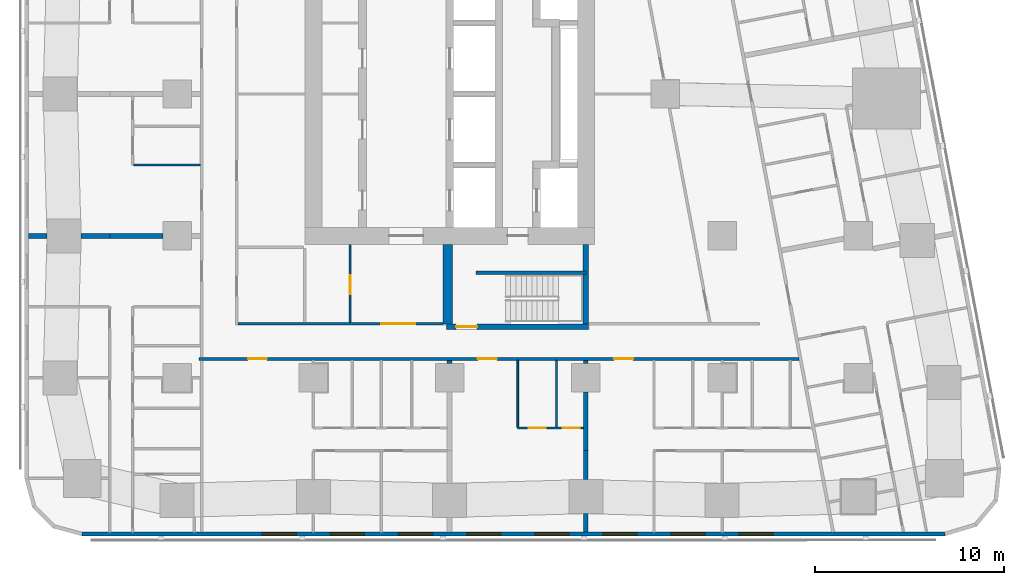
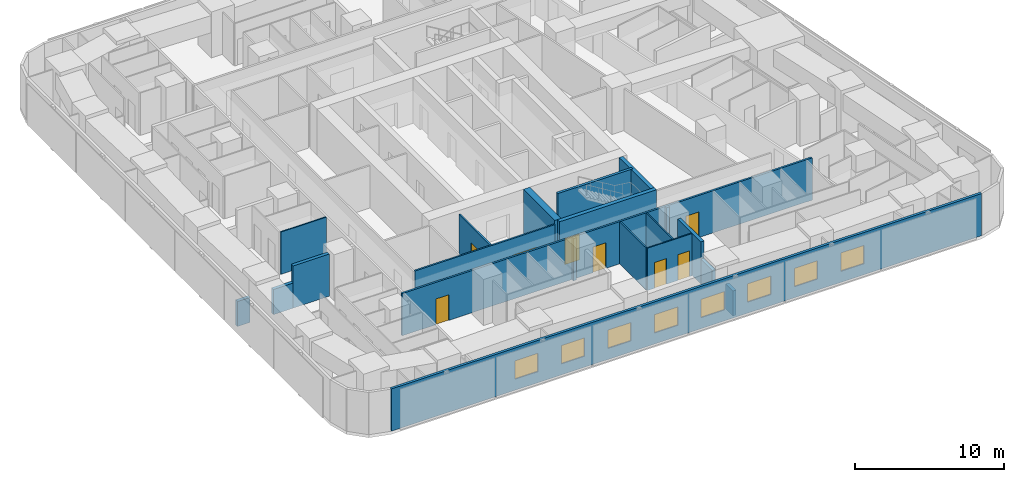
# One storey, part 3 of 15: 20 walls, 8 doors, 8 windows, 16 openings.
"""IFC4 building model written with IfcOpenShell, lengths in metres."""

from ifc_helpers import new_model, si_unit, direction, frame, frame_2d, origin, place, context, subcontext, project, spatial, rectangle, extrude, material, layer, layer_set, type_object, element, fill, save


model = new_model("IFC4")

# Units and contexts
model_context = context("Model", 3, precision=1e-05, world=origin(), true_north=direction((0.0, 1.0)))
body_context = subcontext(model_context, "Body", "Model", "MODEL_VIEW")
ifc_project = project(units=[si_unit("LENGTHUNIT", "METRE"), si_unit("AREAUNIT", "SQUARE_METRE"), si_unit("VOLUMEUNIT", "CUBIC_METRE"), si_unit("PLANEANGLEUNIT", "RADIAN"), si_unit("MASSUNIT", "GRAM", prefix="KILO")], contexts=[model_context])

# Site, building, storey
site_placement = place(None, origin())
site = spatial("IfcSite", under=ifc_project, at=site_placement, CompositionType="ELEMENT")
building_placement = place(site_placement, origin())
building = spatial("IfcBuilding", under=site, at=building_placement, Name="Sheger Commons Tower", CompositionType="ELEMENT")
storey_placement = place(building_placement, frame((0.0, 0.0, 184.550048828125)))
storey = spatial("IfcBuildingStorey", under=building, at=storey_placement, Name="L47", CompositionType="ELEMENT", Elevation=184.550048828125)

# Wall, openings, doors
ifc_material_1 = material(Name="Hollow concrete block masonry, skimmed both sides", Category="masonry")
ifc_layer_1 = layer(ifc_material_1, 0.14990234375)
ifc_layer_set_1 = layer_set([ifc_layer_1], Name="CORRIDOR WALL 150")
wall_type_1 = type_object("IfcWallType", Name="CORRIDOR WALL 150", PredefinedType="SOLIDWALL", material=ifc_layer_set_1)
wall_1_placement = place(storey_placement, frame((40.052978515625, 8.5, 0.0), z_axis=(0.0, 0.0, 1.0), x_axis=(-1.0, 0.0, 0.0)))
wall_1 = element("IfcWall", 1, at=wall_1_placement, inside=storey, type_object=wall_type_1, Name="Corridor wall L47", PredefinedType="SOLIDWALL", context=body_context, shape_type="SweptSolid", body=[
    extrude(rectangle(XDim=31.702880859375, YDim=0.14990234375, at=frame_2d((15.8515625, 0.0))), origin(), (0.0, 0.0, 1.0), 3.449951171875),
])
opening_1_placement = place(wall_1_placement, frame((28.10302734375, 0.0, 0.0)))
opening_1 = element("IfcOpeningElement", 2, at=opening_1_placement, cuts=wall_1, Name="Opening D1", PredefinedType="OPENING", context=body_context, shape_type="SweptSolid", body=[
    extrude(rectangle(XDim=1.0, YDim=2.10009765625, at=frame_2d((0.5, 1.050048828125))), frame((0.0, 0.0849609375, 0.0), z_axis=(0.0, -1.0, 0.0), x_axis=(1.0, 0.0, 0.0)), (0.0, 0.0, 1.0), 0.169921875),
])
opening_2_placement = place(wall_1_placement, frame((15.952880859375, 0.0, 0.0)))
opening_2 = element("IfcOpeningElement", 3, at=opening_2_placement, cuts=wall_1, Name="Opening D1", PredefinedType="OPENING", context=body_context, shape_type="SweptSolid", body=[
    extrude(rectangle(XDim=1.0, YDim=2.10009765625, at=frame_2d((0.5, 1.050048828125))), frame((0.0, 0.0849609375, 0.0), z_axis=(0.0, -1.0, 0.0), x_axis=(1.0, 0.0, 0.0)), (0.0, 0.0, 1.0), 0.169921875),
])
opening_3_placement = place(wall_1_placement, frame((8.7529296875, 0.0, 0.0)))
opening_3 = element("IfcOpeningElement", 4, at=opening_3_placement, cuts=wall_1, Name="Opening D1", PredefinedType="OPENING", context=body_context, shape_type="SweptSolid", body=[
    extrude(rectangle(XDim=1.0, YDim=2.10009765625, at=frame_2d((0.5, 1.050048828125))), frame((0.0, 0.0849609375, 0.0), z_axis=(0.0, -1.0, 0.0), x_axis=(1.0, 0.0, 0.0)), (0.0, 0.0, 1.0), 0.169921875),
])
ifc_material_2 = material(Name="Steel door set, fire rated", Category="steel")
door_type_1 = type_object("IfcDoorType", Name="FLAT ENTRANCE DOOR 1000x2100", OperationType="NOTDEFINED", PredefinedType="DOOR", material=ifc_material_2)
door_1_placement = place(opening_1_placement, origin())
door_1 = element("IfcDoor", 5, at=door_1_placement, inside=storey, type_object=door_type_1, Name="Flat entrance door", OperationType="SINGLE_SWING_RIGHT", OverallHeight=2.10009765625, OverallWidth=1.0, PredefinedType="DOOR", context=body_context, shape_type="SweptSolid", body=[
    extrude(rectangle(XDim=1.0, YDim=2.10009765625, at=frame_2d((0.5, 1.050048828125))), frame((0.0, 0.02490234375, 0.0), z_axis=(0.0, -1.0, 0.0), x_axis=(1.0, 0.0, 0.0)), (0.0, 0.0, 1.0), 0.050048828125),
])
fill(opening_1, door_1)
door_2_placement = place(opening_2_placement, origin())
door_2 = element("IfcDoor", 6, at=door_2_placement, inside=storey, type_object=door_type_1, Name="Flat entrance door", OperationType="SINGLE_SWING_LEFT", OverallHeight=2.10009765625, OverallWidth=1.0, PredefinedType="DOOR", context=body_context, shape_type="SweptSolid", body=[
    extrude(rectangle(XDim=1.0, YDim=2.10009765625, at=frame_2d((0.5, 1.050048828125))), frame((0.0, 0.02490234375, 0.0), z_axis=(0.0, -1.0, 0.0), x_axis=(1.0, 0.0, 0.0)), (0.0, 0.0, 1.0), 0.050048828125),
])
fill(opening_2, door_2)
door_3_placement = place(opening_3_placement, origin())
door_3 = element("IfcDoor", 7, at=door_3_placement, inside=storey, type_object=door_type_1, Name="Flat entrance door", OperationType="SINGLE_SWING_LEFT", OverallHeight=2.10009765625, OverallWidth=1.0, PredefinedType="DOOR", context=body_context, shape_type="SweptSolid", body=[
    extrude(rectangle(XDim=1.0, YDim=2.10009765625, at=frame_2d((0.5, 1.050048828125))), frame((0.0, 0.02490234375, 0.0), z_axis=(0.0, -1.0, 0.0), x_axis=(1.0, 0.0, 0.0)), (0.0, 0.0, 1.0), 0.050048828125),
])
fill(opening_3, door_3)

# Walls
ifc_material_3 = material(Name="Dense concrete block masonry, plastered both sides (separating wall between flats)", Category="masonry")
ifc_layer_2 = layer(ifc_material_3, 0.25)
ifc_layer_set_2 = layer_set([ifc_layer_2], Name="DEMISING WALL 250")
wall_type_2 = type_object("IfcWallType", Name="DEMISING WALL 250", PredefinedType="SOLIDWALL", material=ifc_layer_set_2)
wall_2_placement = place(storey_placement, frame((-0.64990234375, 15.0, 0.0), z_axis=(0.0, 0.0, 1.0), x_axis=(1.0, 0.0, 0.0)))
element("IfcWall", 8, at=wall_2_placement, inside=storey, type_object=wall_type_2, Name="Demising wall L47", PredefinedType="SOLIDWALL", context=body_context, shape_type="SweptSolid", body=[
    extrude(rectangle(XDim=0.973876953125, YDim=0.25, at=frame_2d((0.48681640625, 0.0))), origin(), (0.0, 0.0, 1.0), 2.050048828125),
])
wall_3_placement = place(storey_placement, frame((2.1259765625, 15.0, 0.0), z_axis=(0.0, 0.0, 1.0), x_axis=(1.0, 0.0, 0.0)))
element("IfcWall", 9, at=wall_3_placement, inside=storey, type_object=wall_type_2, Name="Demising wall L47", PredefinedType="SOLIDWALL", context=body_context, shape_type="SweptSolid", body=[
    extrude(rectangle(XDim=1.52392578125, YDim=0.25, at=frame_2d((0.761962890625, 0.0))), origin(), (0.0, 0.0, 1.0), 2.050048828125),
])
wall_4_placement = place(storey_placement, frame((3.64990234375, 15.0, 0.0), z_axis=(0.0, 0.0, 1.0), x_axis=(1.0, 0.0, 0.0)))
element("IfcWall", 10, at=wall_4_placement, inside=storey, type_object=wall_type_2, Name="Demising wall L47", PredefinedType="SOLIDWALL", context=body_context, shape_type="SweptSolid", body=[
    extrude(rectangle(XDim=2.799072265625, YDim=0.25, at=frame_2d((1.3994140625, 0.0))), origin(), (0.0, 0.0, 1.0), 3.449951171875),
])
wall_5_placement = place(storey_placement, frame((21.60009765625, 8.2509765625, 0.0), z_axis=(0.0, 0.0, 1.0), x_axis=(0.0, 1.0, 0.0)))
element("IfcWall", 11, at=wall_5_placement, inside=storey, type_object=wall_type_2, Name="Demising wall L47", PredefinedType="SOLIDWALL", context=body_context, shape_type="SweptSolid", body=[
    extrude(rectangle(XDim=0.174072265625, YDim=0.25, at=frame_2d((0.0869140625, 0.0))), origin(), (0.0, 0.0, 1.0), 3.449951171875),
])
wall_6_placement = place(storey_placement, frame((28.800048828125, -0.64990234375, 0.0), z_axis=(0.0, 0.0, 1.0), x_axis=(0.0, 1.0, 0.0)))
element("IfcWall", 12, at=wall_6_placement, inside=storey, type_object=wall_type_2, Name="Demising wall L47", PredefinedType="SOLIDWALL", context=body_context, shape_type="SweptSolid", body=[
    extrude(rectangle(XDim=0.973876953125, YDim=0.25, at=frame_2d((0.48681640625, 0.0))), origin(), (0.0, 0.0, 1.0), 2.050048828125),
])
wall_7_placement = place(storey_placement, frame((28.800048828125, 2.1259765625, 0.0), z_axis=(0.0, 0.0, 1.0), x_axis=(0.0, 1.0, 0.0)))
element("IfcWall", 13, at=wall_7_placement, inside=storey, type_object=wall_type_2, Name="Demising wall L47", PredefinedType="SOLIDWALL", context=body_context, shape_type="SweptSolid", body=[
    extrude(rectangle(XDim=1.52392578125, YDim=0.25, at=frame_2d((0.761962890625, 0.0))), origin(), (0.0, 0.0, 1.0), 2.050048828125),
])
wall_8_placement = place(storey_placement, frame((28.800048828125, 3.64990234375, 0.0), z_axis=(0.0, 0.0, 1.0), x_axis=(0.0, 1.0, 0.0)))
element("IfcWall", 14, at=wall_8_placement, inside=storey, type_object=wall_type_2, Name="Demising wall L47", PredefinedType="SOLIDWALL", context=body_context, shape_type="SweptSolid", body=[
    extrude(rectangle(XDim=3.09912109375, YDim=0.25, at=frame_2d((1.549560546875, 0.0))), origin(), (0.0, 0.0, 1.0), 3.449951171875),
])
wall_9_placement = place(storey_placement, frame((28.800048828125, 8.2509765625, 0.0), z_axis=(0.0, 0.0, 1.0), x_axis=(0.0, 1.0, 0.0)))
element("IfcWall", 15, at=wall_9_placement, inside=storey, type_object=wall_type_2, Name="Demising wall L47", PredefinedType="SOLIDWALL", context=body_context, shape_type="SweptSolid", body=[
    extrude(rectangle(XDim=0.174072265625, YDim=0.25, at=frame_2d((0.0869140625, 0.0))), origin(), (0.0, 0.0, 1.0), 3.449951171875),
])

# Wall, openings, windows
ifc_material_4 = material(Name="Rendered concrete block masonry, dark grey", Category="masonry")
ifc_layer_3 = layer(ifc_material_4, 0.199951171875)
ifc_layer_set_3 = layer_set([ifc_layer_3], Name="FACADE WALL 200")
wall_type_3 = type_object("IfcWallType", Name="FACADE WALL 200", PredefinedType="SOLIDWALL", material=ifc_layer_set_3)
wall_10_placement = place(storey_placement, frame((2.1630859375, -0.75, 0.0), z_axis=(0.0, 0.0, 1.0), x_axis=(1.0, 0.0, 0.0)))
wall_10 = element("IfcWall", 16, at=wall_10_placement, inside=storey, type_object=wall_type_3, Name="Facade wall L47", PredefinedType="SOLIDWALL", context=body_context, shape_type="SweptSolid", body=[
    extrude(rectangle(XDim=45.6279296875, YDim=0.199951171875, at=frame_2d((22.81396484375, 0.0))), origin(), (0.0, 0.0, 1.0), 3.449951171875),
])
opening_4_placement = place(wall_10_placement, frame((9.537109375, 0.0, 0.89990234375)))
opening_4 = element("IfcOpeningElement", 17, at=opening_4_placement, cuts=wall_10, Name="Opening W2", PredefinedType="OPENING", context=body_context, shape_type="SweptSolid", body=[
    extrude(rectangle(XDim=1.800048828125, YDim=1.5, at=frame_2d((0.89990234375, 0.75))), frame((0.0, 0.10986328125, 0.0), z_axis=(0.0, -1.0, 0.0), x_axis=(1.0, 0.0, 0.0)), (0.0, 0.0, 1.0), 0.219970703125),
])
opening_5_placement = place(wall_10_placement, frame((13.136962890625, 0.0, 0.89990234375)))
opening_5 = element("IfcOpeningElement", 18, at=opening_5_placement, cuts=wall_10, Name="Opening W2", PredefinedType="OPENING", context=body_context, shape_type="SweptSolid", body=[
    extrude(rectangle(XDim=1.800048828125, YDim=1.5, at=frame_2d((0.89990234375, 0.75))), frame((0.0, 0.10986328125, 0.0), z_axis=(0.0, -1.0, 0.0), x_axis=(1.0, 0.0, 0.0)), (0.0, 0.0, 1.0), 0.219970703125),
])
opening_6_placement = place(wall_10_placement, frame((16.737060546875, 0.0, 0.89990234375)))
opening_6 = element("IfcOpeningElement", 19, at=opening_6_placement, cuts=wall_10, Name="Opening W2", PredefinedType="OPENING", context=body_context, shape_type="SweptSolid", body=[
    extrude(rectangle(XDim=1.800048828125, YDim=1.5, at=frame_2d((0.89990234375, 0.75))), frame((0.0, 0.10986328125, 0.0), z_axis=(0.0, -1.0, 0.0), x_axis=(1.0, 0.0, 0.0)), (0.0, 0.0, 1.0), 0.219970703125),
])
opening_7_placement = place(wall_10_placement, frame((20.3369140625, 0.0, 0.89990234375)))
opening_7 = element("IfcOpeningElement", 20, at=opening_7_placement, cuts=wall_10, Name="Opening W2", PredefinedType="OPENING", context=body_context, shape_type="SweptSolid", body=[
    extrude(rectangle(XDim=1.800048828125, YDim=1.5, at=frame_2d((0.89990234375, 0.75))), frame((0.0, 0.10986328125, 0.0), z_axis=(0.0, -1.0, 0.0), x_axis=(1.0, 0.0, 0.0)), (0.0, 0.0, 1.0), 0.219970703125),
])
opening_8_placement = place(wall_10_placement, frame((23.93701171875, 0.0, 0.89990234375)))
opening_8 = element("IfcOpeningElement", 21, at=opening_8_placement, cuts=wall_10, Name="Opening W2", PredefinedType="OPENING", context=body_context, shape_type="SweptSolid", body=[
    extrude(rectangle(XDim=1.800048828125, YDim=1.5, at=frame_2d((0.89990234375, 0.75))), frame((0.0, 0.10986328125, 0.0), z_axis=(0.0, -1.0, 0.0), x_axis=(1.0, 0.0, 0.0)), (0.0, 0.0, 1.0), 0.219970703125),
])
opening_9_placement = place(wall_10_placement, frame((27.537109375, 0.0, 0.89990234375)))
opening_9 = element("IfcOpeningElement", 22, at=opening_9_placement, cuts=wall_10, Name="Opening W2", PredefinedType="OPENING", context=body_context, shape_type="SweptSolid", body=[
    extrude(rectangle(XDim=1.800048828125, YDim=1.5, at=frame_2d((0.89990234375, 0.75))), frame((0.0, 0.10986328125, 0.0), z_axis=(0.0, -1.0, 0.0), x_axis=(1.0, 0.0, 0.0)), (0.0, 0.0, 1.0), 0.219970703125),
])
opening_10_placement = place(wall_10_placement, frame((31.136962890625, 0.0, 0.89990234375)))
opening_10 = element("IfcOpeningElement", 23, at=opening_10_placement, cuts=wall_10, Name="Opening W2", PredefinedType="OPENING", context=body_context, shape_type="SweptSolid", body=[
    extrude(rectangle(XDim=1.800048828125, YDim=1.5, at=frame_2d((0.89990234375, 0.75))), frame((0.0, 0.10986328125, 0.0), z_axis=(0.0, -1.0, 0.0), x_axis=(1.0, 0.0, 0.0)), (0.0, 0.0, 1.0), 0.219970703125),
])
opening_11_placement = place(wall_10_placement, frame((34.737060546875, 0.0, 0.89990234375)))
opening_11 = element("IfcOpeningElement", 24, at=opening_11_placement, cuts=wall_10, Name="Opening W2", PredefinedType="OPENING", context=body_context, shape_type="SweptSolid", body=[
    extrude(rectangle(XDim=1.800048828125, YDim=1.5, at=frame_2d((0.89990234375, 0.75))), frame((0.0, 0.10986328125, 0.0), z_axis=(0.0, -1.0, 0.0), x_axis=(1.0, 0.0, 0.0)), (0.0, 0.0, 1.0), 0.219970703125),
])
ifc_material_5 = material(Name="Black aluminium frame, dark tinted double glazing", Category="aluminium")
window_type = type_object("IfcWindowType", Name="WINDOW W2 1800x1500", PartitioningType="SINGLE_PANEL", PredefinedType="WINDOW", material=ifc_material_5)
window_1_placement = place(opening_4_placement, origin())
window_1 = element("IfcWindow", 25, at=window_1_placement, inside=storey, type_object=window_type, Name="Window W2 1800X1500", OverallHeight=1.5, OverallWidth=1.800048828125, PartitioningType="SINGLE_PANEL", PredefinedType="WINDOW", context=body_context, shape_type="SweptSolid", body=[
    extrude(rectangle(XDim=1.800048828125, YDim=1.5, at=frame_2d((0.89990234375, 0.75))), frame((0.0, 0.030029296875, 0.0), z_axis=(0.0, -1.0, 0.0), x_axis=(1.0, 0.0, 0.0)), (0.0, 0.0, 1.0), 0.06005859375),
])
fill(opening_4, window_1)
window_2_placement = place(opening_5_placement, origin())
window_2 = element("IfcWindow", 26, at=window_2_placement, inside=storey, type_object=window_type, Name="Window W2 1800X1500", OverallHeight=1.5, OverallWidth=1.800048828125, PartitioningType="SINGLE_PANEL", PredefinedType="WINDOW", context=body_context, shape_type="SweptSolid", body=[
    extrude(rectangle(XDim=1.800048828125, YDim=1.5, at=frame_2d((0.89990234375, 0.75))), frame((0.0, 0.030029296875, 0.0), z_axis=(0.0, -1.0, 0.0), x_axis=(1.0, 0.0, 0.0)), (0.0, 0.0, 1.0), 0.06005859375),
])
fill(opening_5, window_2)
window_3_placement = place(opening_6_placement, origin())
window_3 = element("IfcWindow", 27, at=window_3_placement, inside=storey, type_object=window_type, Name="Window W2 1800X1500", OverallHeight=1.5, OverallWidth=1.800048828125, PartitioningType="SINGLE_PANEL", PredefinedType="WINDOW", context=body_context, shape_type="SweptSolid", body=[
    extrude(rectangle(XDim=1.800048828125, YDim=1.5, at=frame_2d((0.89990234375, 0.75))), frame((0.0, 0.030029296875, 0.0), z_axis=(0.0, -1.0, 0.0), x_axis=(1.0, 0.0, 0.0)), (0.0, 0.0, 1.0), 0.06005859375),
])
fill(opening_6, window_3)
window_4_placement = place(opening_7_placement, origin())
window_4 = element("IfcWindow", 28, at=window_4_placement, inside=storey, type_object=window_type, Name="Window W2 1800X1500", OverallHeight=1.5, OverallWidth=1.800048828125, PartitioningType="SINGLE_PANEL", PredefinedType="WINDOW", context=body_context, shape_type="SweptSolid", body=[
    extrude(rectangle(XDim=1.800048828125, YDim=1.5, at=frame_2d((0.89990234375, 0.75))), frame((0.0, 0.030029296875, 0.0), z_axis=(0.0, -1.0, 0.0), x_axis=(1.0, 0.0, 0.0)), (0.0, 0.0, 1.0), 0.06005859375),
])
fill(opening_7, window_4)
window_5_placement = place(opening_8_placement, origin())
window_5 = element("IfcWindow", 29, at=window_5_placement, inside=storey, type_object=window_type, Name="Window W2 1800X1500", OverallHeight=1.5, OverallWidth=1.800048828125, PartitioningType="SINGLE_PANEL", PredefinedType="WINDOW", context=body_context, shape_type="SweptSolid", body=[
    extrude(rectangle(XDim=1.800048828125, YDim=1.5, at=frame_2d((0.89990234375, 0.75))), frame((0.0, 0.030029296875, 0.0), z_axis=(0.0, -1.0, 0.0), x_axis=(1.0, 0.0, 0.0)), (0.0, 0.0, 1.0), 0.06005859375),
])
fill(opening_8, window_5)
window_6_placement = place(opening_9_placement, origin())
window_6 = element("IfcWindow", 30, at=window_6_placement, inside=storey, type_object=window_type, Name="Window W2 1800X1500", OverallHeight=1.5, OverallWidth=1.800048828125, PartitioningType="SINGLE_PANEL", PredefinedType="WINDOW", context=body_context, shape_type="SweptSolid", body=[
    extrude(rectangle(XDim=1.800048828125, YDim=1.5, at=frame_2d((0.89990234375, 0.75))), frame((0.0, 0.030029296875, 0.0), z_axis=(0.0, -1.0, 0.0), x_axis=(1.0, 0.0, 0.0)), (0.0, 0.0, 1.0), 0.06005859375),
])
fill(opening_9, window_6)
window_7_placement = place(opening_10_placement, origin())
window_7 = element("IfcWindow", 31, at=window_7_placement, inside=storey, type_object=window_type, Name="Window W2 1800X1500", OverallHeight=1.5, OverallWidth=1.800048828125, PartitioningType="SINGLE_PANEL", PredefinedType="WINDOW", context=body_context, shape_type="SweptSolid", body=[
    extrude(rectangle(XDim=1.800048828125, YDim=1.5, at=frame_2d((0.89990234375, 0.75))), frame((0.0, 0.030029296875, 0.0), z_axis=(0.0, -1.0, 0.0), x_axis=(1.0, 0.0, 0.0)), (0.0, 0.0, 1.0), 0.06005859375),
])
fill(opening_10, window_7)
window_8_placement = place(opening_11_placement, origin())
window_8 = element("IfcWindow", 32, at=window_8_placement, inside=storey, type_object=window_type, Name="Window W2 1800X1500", OverallHeight=1.5, OverallWidth=1.800048828125, PartitioningType="SINGLE_PANEL", PredefinedType="WINDOW", context=body_context, shape_type="SweptSolid", body=[
    extrude(rectangle(XDim=1.800048828125, YDim=1.5, at=frame_2d((0.89990234375, 0.75))), frame((0.0, 0.030029296875, 0.0), z_axis=(0.0, -1.0, 0.0), x_axis=(1.0, 0.0, 0.0)), (0.0, 0.0, 1.0), 0.06005859375),
])
fill(opening_11, window_8)

# Wall
ifc_material_6 = material(Name="Gypsum board on steel studs", Category="steel")
ifc_layer_4 = layer(ifc_material_6, 0.10009765625)
ifc_layer_set_4 = layer_set([ifc_layer_4], Name="PARTITION 100")
wall_type_4 = type_object("IfcWallType", Name="PARTITION 100", PredefinedType="PARTITIONING", material=ifc_layer_set_4)
wall_11_placement = place(storey_placement, frame((4.89990234375, 18.75, 0.0), z_axis=(0.0, 0.0, 1.0), x_axis=(1.0, 0.0, 0.0)))
element("IfcWall", 33, at=wall_11_placement, inside=storey, type_object=wall_type_4, Name="Partition L47", PredefinedType="PARTITIONING", context=body_context, shape_type="SweptSolid", body=[
    extrude(rectangle(XDim=3.525146484375, YDim=0.10009765625, at=frame_2d((1.7626953125, 0.0))), origin(), (0.0, 0.0, 1.0), 3.449951171875),
])

# Wall, openings, doors
wall_12_placement = place(storey_placement, frame((28.675048828125, 4.85009765625, 0.0), z_axis=(0.0, 0.0, 1.0), x_axis=(-1.0, 0.0, 0.0)))
wall_12 = element("IfcWall", 34, at=wall_12_placement, inside=storey, type_object=wall_type_4, Name="Partition L47", PredefinedType="PARTITIONING", context=body_context, shape_type="SweptSolid", body=[
    extrude(rectangle(XDim=3.47509765625, YDim=0.10009765625, at=frame_2d((1.737548828125, 0.0))), origin(), (0.0, 0.0, 1.0), 3.449951171875),
])
opening_12_placement = place(wall_12_placement, frame((2.0, 0.0, 0.0)))
opening_12 = element("IfcOpeningElement", 35, at=opening_12_placement, cuts=wall_12, Name="Opening D2", PredefinedType="OPENING", context=body_context, shape_type="SweptSolid", body=[
    extrude(rectangle(XDim=0.89990234375, YDim=2.10009765625, at=frame_2d((0.449951171875, 1.050048828125))), frame((0.0, 0.06005859375, 0.0), z_axis=(0.0, -1.0, 0.0), x_axis=(1.0, 0.0, 0.0)), (0.0, 0.0, 1.0), 0.1201171875),
])
opening_13_placement = place(wall_12_placement, frame((0.199951171875, 0.0, 0.0)))
opening_13 = element("IfcOpeningElement", 36, at=opening_13_placement, cuts=wall_12, Name="Opening D2", PredefinedType="OPENING", context=body_context, shape_type="SweptSolid", body=[
    extrude(rectangle(XDim=0.89990234375, YDim=2.10009765625, at=frame_2d((0.449951171875, 1.050048828125))), frame((0.0, 0.06005859375, 0.0), z_axis=(0.0, -1.0, 0.0), x_axis=(1.0, 0.0, 0.0)), (0.0, 0.0, 1.0), 0.1201171875),
])
ifc_material_7 = material(Name="Timber door set", Category="wood")
door_type_2 = type_object("IfcDoorType", Name="INTERNAL DOOR 900x2100", OperationType="NOTDEFINED", PredefinedType="DOOR", material=ifc_material_7)
door_4_placement = place(opening_12_placement, origin())
door_4 = element("IfcDoor", 37, at=door_4_placement, inside=storey, type_object=door_type_2, Name="Bathroom door", OperationType="SINGLE_SWING_LEFT", OverallHeight=2.10009765625, OverallWidth=0.89990234375, PredefinedType="DOOR", context=body_context, shape_type="SweptSolid", body=[
    extrude(rectangle(XDim=0.89990234375, YDim=2.10009765625, at=frame_2d((0.449951171875, 1.050048828125))), frame((0.0, 0.02490234375, 0.0), z_axis=(0.0, -1.0, 0.0), x_axis=(1.0, 0.0, 0.0)), (0.0, 0.0, 1.0), 0.050048828125),
])
fill(opening_12, door_4)
door_5_placement = place(opening_13_placement, origin())
door_5 = element("IfcDoor", 38, at=door_5_placement, inside=storey, type_object=door_type_2, Name="Store door", OperationType="SINGLE_SWING_RIGHT", OverallHeight=2.10009765625, OverallWidth=0.89990234375, PredefinedType="DOOR", context=body_context, shape_type="SweptSolid", body=[
    extrude(rectangle(XDim=0.89990234375, YDim=2.10009765625, at=frame_2d((0.449951171875, 1.050048828125))), frame((0.0, 0.02490234375, 0.0), z_axis=(0.0, -1.0, 0.0), x_axis=(1.0, 0.0, 0.0)), (0.0, 0.0, 1.0), 0.050048828125),
])
fill(opening_13, door_5)

# Walls
for number, where, z_axis, x_axis, name in (
    (39, (25.199951171875, 4.89990234375, 0.0), (0.0, 0.0, 1.0), (0.0, 1.0, 0.0), "Partition L47"),
    (40, (27.25, 4.89990234375, 0.0), (0.0, 0.0, 1.0), (0.0, 1.0, 0.0), "Partition L47"),
):
    element("IfcWall", number, at=place(storey_placement, frame(where, z_axis=z_axis, x_axis=x_axis)), inside=storey, type_object=wall_type_4, Name=name, PredefinedType="PARTITIONING", context=body_context, shape_type="SweptSolid", body=[
        extrude(rectangle(XDim=3.525146484375, YDim=0.10009765625, at=frame_2d((1.7626953125, 0.0))), origin(), (0.0, 0.0, 1.0), 3.449951171875),
    ])

# Wall, opening, door
ifc_material_8 = material(Name="Gypsum board on steel studs, two layers each side, fire rated", Category="steel")
ifc_layer_5 = layer(ifc_material_8, 0.125)
ifc_layer_set_5 = layer_set([ifc_layer_5], Name="SERVICE WALL 125")
wall_type_5 = type_object("IfcWallType", Name="SERVICE WALL 125", PredefinedType="PARTITIONING", material=ifc_layer_set_5)
wall_13_placement = place(storey_placement, frame((10.4130859375, 10.35009765625, 0.0), z_axis=(0.0, 0.0, 1.0), x_axis=(1.0, 0.0, 0.0)))
wall_13 = element("IfcWall", 41, at=wall_13_placement, inside=storey, type_object=wall_type_5, Name="Service room wall L47", PredefinedType="PARTITIONING", context=body_context, shape_type="SweptSolid", body=[
    extrude(rectangle(XDim=10.8369140625, YDim=0.125, at=frame_2d((5.41845703125, 0.0))), origin(), (0.0, 0.0, 1.0), 3.449951171875),
])
opening_14_placement = place(wall_13_placement, frame((7.58203125, 0.0, 0.0)))
opening_14 = element("IfcOpeningElement", 42, at=opening_14_placement, cuts=wall_13, Name="Opening D6", PredefinedType="OPENING", context=body_context, shape_type="SweptSolid", body=[
    extrude(rectangle(XDim=1.800048828125, YDim=2.10009765625, at=frame_2d((0.89990234375, 1.050048828125))), frame((0.0, 0.072509765625, 0.0), z_axis=(0.0, -1.0, 0.0), x_axis=(1.0, 0.0, 0.0)), (0.0, 0.0, 1.0), 0.14501953125),
])
ifc_material_9 = material(Name="Steel door set, fire rated", Category="steel")
door_type_3 = type_object("IfcDoorType", Name="LOBBY DOUBLE DOOR 1800x2100", OperationType="DOUBLE_DOOR_SINGLE_SWING", PredefinedType="DOOR", material=ifc_material_9)
door_6_placement = place(opening_14_placement, origin())
door_6 = element("IfcDoor", 43, at=door_6_placement, inside=storey, type_object=door_type_3, Name="Lift lobby south door", OperationType="DOUBLE_DOOR_SINGLE_SWING", OverallHeight=2.10009765625, OverallWidth=1.800048828125, PredefinedType="DOOR", context=body_context, shape_type="SweptSolid", body=[
    extrude(rectangle(XDim=1.800048828125, YDim=2.10009765625, at=frame_2d((0.89990234375, 1.050048828125))), frame((0.0, 0.02490234375, 0.0), z_axis=(0.0, -1.0, 0.0), x_axis=(1.0, 0.0, 0.0)), (0.0, 0.0, 1.0), 0.050048828125),
])
fill(opening_14, door_6)

wall_14_placement = place(storey_placement, frame((16.340087890625, 10.4130859375, 0.0), z_axis=(0.0, 0.0, 1.0), x_axis=(0.0, 1.0, 0.0)))
wall_14 = element("IfcWall", 44, at=wall_14_placement, inside=storey, type_object=wall_type_5, Name="Service room wall L47", PredefinedType="PARTITIONING", context=body_context, shape_type="SweptSolid", body=[
    extrude(rectangle(XDim=4.136962890625, YDim=0.125, at=frame_2d((2.068359375, 0.0))), origin(), (0.0, 0.0, 1.0), 3.449951171875),
])
opening_15_placement = place(wall_14_placement, frame((1.511962890625, 0.0, 0.0)))
opening_15 = element("IfcOpeningElement", 45, at=opening_15_placement, cuts=wall_14, Name="Opening D4", PredefinedType="OPENING", context=body_context, shape_type="SweptSolid", body=[
    extrude(rectangle(XDim=1.0, YDim=2.10009765625, at=frame_2d((0.5, 1.050048828125))), frame((0.0, 0.072509765625, 0.0), z_axis=(0.0, -1.0, 0.0), x_axis=(1.0, 0.0, 0.0)), (0.0, 0.0, 1.0), 0.14501953125),
])
ifc_material_10 = material(Name="Steel door set, fire rated", Category="steel")
door_type_4 = type_object("IfcDoorType", Name="SERVICE DOOR 1000x2100", OperationType="NOTDEFINED", PredefinedType="DOOR", material=ifc_material_10)
door_7_placement = place(opening_15_placement, origin())
door_7 = element("IfcDoor", 46, at=door_7_placement, inside=storey, type_object=door_type_4, Name="Electrical room door", OperationType="SINGLE_SWING_LEFT", OverallHeight=2.10009765625, OverallWidth=1.0, PredefinedType="DOOR", context=body_context, shape_type="SweptSolid", body=[
    extrude(rectangle(XDim=1.0, YDim=2.10009765625, at=frame_2d((0.5, 1.050048828125))), frame((0.0, 0.02490234375, 0.0), z_axis=(0.0, -1.0, 0.0), x_axis=(1.0, 0.0, 0.0)), (0.0, 0.0, 1.0), 0.050048828125),
])
fill(opening_15, door_7)

ifc_material_11 = material(Name="Concrete C50/60", Category="concrete")
ifc_layer_6 = layer(ifc_material_11, 0.300048828125)
ifc_layer_set_6 = layer_set([ifc_layer_6], Name="STAIR CORE WALL 300")
wall_type_6 = type_object("IfcWallType", Name="STAIR CORE WALL 300", PredefinedType="SHEAR", material=ifc_layer_set_6)
wall_15_placement = place(storey_placement, frame((21.449951171875, 10.199951171875, 0.0), z_axis=(0.0, 0.0, 1.0), x_axis=(1.0, 0.0, 0.0)))
wall_15 = element("IfcWall", 47, at=wall_15_placement, inside=storey, type_object=wall_type_6, Name="STW-L47-S1S", PredefinedType="SHEAR", context=body_context, shape_type="SweptSolid", body=[
    extrude(rectangle(XDim=7.5, YDim=0.300048828125, at=frame_2d((3.75, 0.0))), origin(), (0.0, 0.0, 1.0), 3.75),
])
opening_16_placement = place(wall_15_placement, frame((0.5, 0.0, 0.0)))
opening_16 = element("IfcOpeningElement", 48, at=opening_16_placement, cuts=wall_15, Name="Opening D5", PredefinedType="OPENING", context=body_context, shape_type="SweptSolid", body=[
    extrude(rectangle(XDim=1.10009765625, YDim=2.10009765625, at=frame_2d((0.550048828125, 1.050048828125))), frame((0.0, 0.159912109375, 0.0), z_axis=(0.0, -1.0, 0.0), x_axis=(1.0, 0.0, 0.0)), (0.0, 0.0, 1.0), 0.320068359375),
])
ifc_material_12 = material(Name="Steel door set, fire rated", Category="steel")
door_type_5 = type_object("IfcDoorType", Name="STAIR DOOR 1100x2100", OperationType="NOTDEFINED", PredefinedType="DOOR", material=ifc_material_12)
door_8_placement = place(opening_16_placement, origin())
door_8 = element("IfcDoor", 49, at=door_8_placement, inside=storey, type_object=door_type_5, Name="Stair S1 door", OperationType="SINGLE_SWING_LEFT", OverallHeight=2.10009765625, OverallWidth=1.10009765625, PredefinedType="DOOR", context=body_context, shape_type="SweptSolid", body=[
    extrude(rectangle(XDim=1.10009765625, YDim=2.10009765625, at=frame_2d((0.550048828125, 1.050048828125))), frame((0.0, 0.02490234375, 0.0), z_axis=(0.0, -1.0, 0.0), x_axis=(1.0, 0.0, 0.0)), (0.0, 0.0, 1.0), 0.050048828125),
])
fill(opening_16, door_8)

# Walls
wall_16_placement = place(storey_placement, frame((28.800048828125, 10.35009765625, 0.0), z_axis=(0.0, 0.0, 1.0), x_axis=(0.0, 1.0, 0.0)))
element("IfcWall", 50, at=wall_16_placement, inside=storey, type_object=wall_type_6, Name="STW-L47-S1E", PredefinedType="SHEAR", context=body_context, shape_type="SweptSolid", body=[
    extrude(rectangle(XDim=4.199951171875, YDim=0.300048828125, at=frame_2d((2.10009765625, 0.0))), origin(), (0.0, 0.0, 1.0), 3.75),
])
ifc_material_13 = material(Name="Concrete C50/60", Category="concrete")
ifc_layer_7 = layer(ifc_material_13, 0.5)
ifc_layer_set_7 = layer_set([ifc_layer_7], Name="STAIR CORE WALL 500")
wall_type_7 = type_object("IfcWallType", Name="STAIR CORE WALL 500", PredefinedType="SHEAR", material=ifc_layer_set_7)
wall_17_placement = place(storey_placement, frame((21.5, 10.35009765625, 0.0), z_axis=(0.0, 0.0, 1.0), x_axis=(0.0, 1.0, 0.0)))
element("IfcWall", 51, at=wall_17_placement, inside=storey, type_object=wall_type_7, Name="STW-L47-S1W", PredefinedType="SHEAR", context=body_context, shape_type="SweptSolid", body=[
    extrude(rectangle(XDim=4.199951171875, YDim=0.5, at=frame_2d((2.10009765625, 0.0))), origin(), (0.0, 0.0, 1.0), 3.75),
])
ifc_material_14 = material(Name="Concrete C50/60", Category="concrete")
ifc_layer_8 = layer(ifc_material_14, 0.199951171875)
ifc_layer_set_8 = layer_set([ifc_layer_8], Name="STAIR SPINE WALL 200")
wall_type_8 = type_object("IfcWallType", Name="STAIR SPINE WALL 200", PredefinedType="SHEAR", material=ifc_layer_set_8)
wall_18_placement = place(storey_placement, frame((23.0, 13.050048828125, 0.0), z_axis=(0.0, 0.0, 1.0), x_axis=(1.0, 0.0, 0.0)))
element("IfcWall", 52, at=wall_18_placement, inside=storey, type_object=wall_type_8, Name="Stair spine wall L47", PredefinedType="SHEAR", context=body_context, shape_type="SweptSolid", body=[
    extrude(rectangle(XDim=5.800048828125, YDim=0.199951171875, at=frame_2d((2.89990234375, 0.0))), origin(), (0.0, 0.0, 1.0), 3.75),
])

save(model, "model.ifc")
